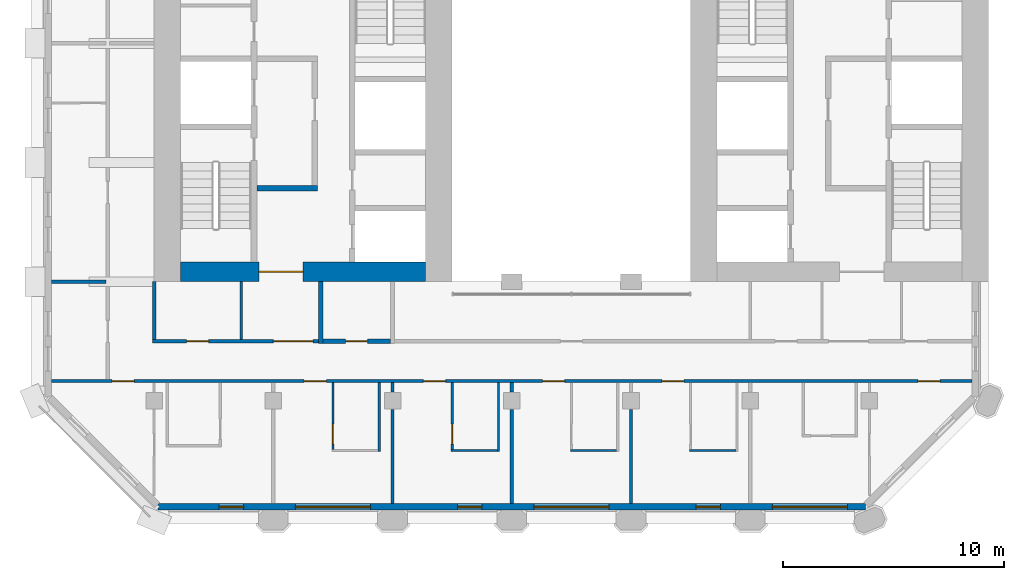
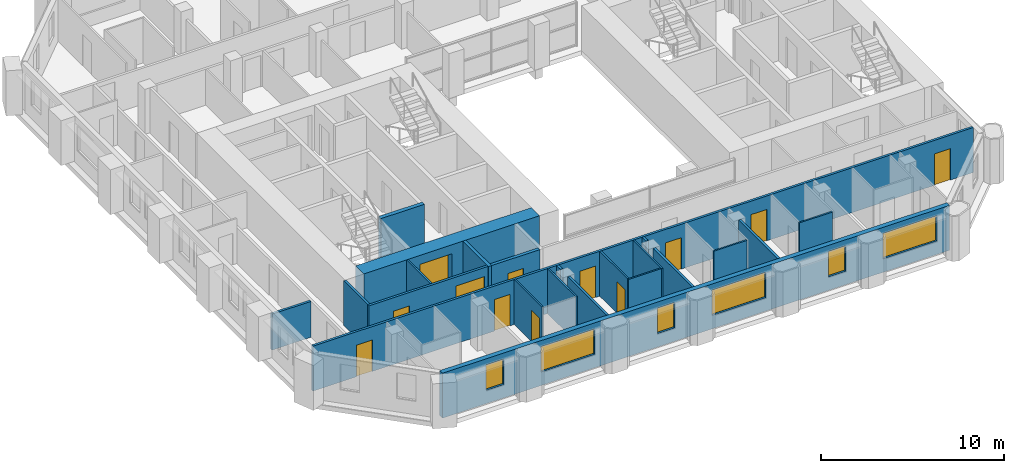
# One storey, part 6 of 13: 22 walls, 12 doors, 6 windows, 18 openings.
"""IFC4 building model written with IfcOpenShell, lengths in metres."""

from ifc_helpers import new_model, si_unit, direction, frame, frame_2d, origin, place, context, subcontext, project, spatial, rectangle, extrude, material, layer, layer_set, type_object, element, fill, save


model = new_model("IFC4")

# Units and contexts
model_context = context("Model", 3, precision=1e-05, world=origin(), true_north=direction((0.0, 1.0)))
body_context = subcontext(model_context, "Body", "Model", "MODEL_VIEW")
ifc_project = project(units=[si_unit("LENGTHUNIT", "METRE"), si_unit("AREAUNIT", "SQUARE_METRE"), si_unit("VOLUMEUNIT", "CUBIC_METRE"), si_unit("PLANEANGLEUNIT", "RADIAN"), si_unit("MASSUNIT", "GRAM", prefix="KILO")], contexts=[model_context])

# Site, building, storey
site_placement = place(None, origin())
site = spatial("IfcSite", under=ifc_project, at=site_placement, CompositionType="ELEMENT")
building_placement = place(site_placement, origin())
building = spatial("IfcBuilding", under=site, at=building_placement, Name="Tabaq Tower and Sports Hall", CompositionType="ELEMENT")
storey_placement = place(building_placement, frame((0.0, 0.0, 210.39990234375)))
storey = spatial("IfcBuildingStorey", under=building, at=storey_placement, Name="L52", CompositionType="ELEMENT", Elevation=210.39990234375)

# Wall, opening, door
ifc_material_1 = material(Name="Concrete C50/60", Category="concrete")
ifc_layer_1 = layer(ifc_material_1, 0.89990234375)
ifc_layer_set_1 = layer_set([ifc_layer_1], Name="Core wall 900 Concrete C50/60")
wall_type_1 = type_object("IfcWallType", Name="Core wall 900 Concrete C50/60", PredefinedType="SOLIDWALL", material=ifc_layer_set_1)
wall_1_placement = place(storey_placement, frame((17.699951171875, 16.64990234375, 0.0), z_axis=(0.0, 0.0, 1.0), x_axis=(-1.0, 0.0, 0.0)))
wall_1 = element("IfcWall", 1, at=wall_1_placement, inside=storey, type_object=wall_type_1, Name="Core wall W L52", PredefinedType="SOLIDWALL", context=body_context, shape_type="SweptSolid", body=[
    extrude(rectangle(XDim=11.099853515625, YDim=0.89990234375, at=frame_2d((5.5498046875, 0.0))), origin(), (0.0, 0.0, 1.0), 3.0),
])
opening_1_placement = place(wall_1_placement, frame((5.550048828125, 0.0, 0.0)))
opening_1 = element("IfcOpeningElement", 2, at=opening_1_placement, cuts=wall_1, Name="Opening PD-WL52-01", PredefinedType="OPENING", context=body_context, shape_type="SweptSolid", body=[
    extrude(rectangle(XDim=2.0, YDim=2.39990234375, at=frame_2d((1.0, 1.199951171875))), frame((0.0, 0.449951171875, 0.0), z_axis=(0.0, -1.0, 0.0), x_axis=(1.0, 0.0, 0.0)), (0.0, 0.0, 1.0), 0.89990234375),
])
ifc_material_2 = material(Name="Steel fire door", Category="steel")
door_type_1 = type_object("IfcDoorType", Name="Core entrance door 2000", OperationType="DOUBLE_DOOR_SINGLE_SWING", PredefinedType="DOOR", material=ifc_material_2)
door_1_placement = place(opening_1_placement, origin())
door_1 = element("IfcDoor", 3, at=door_1_placement, inside=storey, type_object=door_type_1, Name="Core entrance south W L52", OperationType="DOUBLE_DOOR_SINGLE_SWING", OverallHeight=2.39990234375, OverallWidth=2.0, PredefinedType="DOOR", context=body_context, shape_type="SweptSolid", body=[
    extrude(rectangle(XDim=2.0, YDim=2.39990234375, at=frame_2d((1.0, 1.199951171875))), frame((0.0, 0.02490234375, 0.0), z_axis=(0.0, -1.0, 0.0), x_axis=(1.0, 0.0, 0.0)), (0.0, 0.0, 1.0), 0.050048828125),
])
fill(opening_1, door_1)

# Wall
ifc_material_3 = material(Name="Blockwork", Category="masonry")
ifc_layer_2 = layer(ifc_material_3, 0.199951171875)
ifc_layer_set_2 = layer_set([ifc_layer_2], Name="Fire compartment wall 200 Blockwork")
wall_type_2 = type_object("IfcWallType", Name="Fire compartment wall 200 Blockwork", PredefinedType="PARTITIONING", material=ifc_layer_set_2)
wall_2_placement = place(storey_placement, frame((12.949951171875, 13.39990234375, 0.0), z_axis=(0.0, 0.0, 1.0), x_axis=(0.0, 1.0, 0.0)))
element("IfcWall", 4, at=wall_2_placement, inside=storey, type_object=wall_type_2, Name="Compartment wall L52", PredefinedType="PARTITIONING", context=body_context, shape_type="SweptSolid", body=[
    extrude(rectangle(XDim=2.800048828125, YDim=0.199951171875, at=frame_2d((1.39990234375, 0.0))), origin(), (0.0, 0.0, 1.0), 3.0),
])

# Wall, opening, door
wall_3_placement = place(storey_placement, frame((16.10009765625, 13.5, 0.0), z_axis=(0.0, 0.0, 1.0), x_axis=(-1.0, 0.0, 0.0)))
wall_3 = element("IfcWall", 5, at=wall_3_placement, inside=storey, type_object=wall_type_2, Name="Compartment wall L52", PredefinedType="PARTITIONING", context=body_context, shape_type="SweptSolid", body=[
    extrude(rectangle(XDim=3.050048828125, YDim=0.199951171875, at=frame_2d((1.52490234375, 0.0))), origin(), (0.0, 0.0, 1.0), 3.0),
])
opening_2_placement = place(wall_3_placement, frame((1.02490234375, 0.0, 0.0)))
opening_2 = element("IfcOpeningElement", 6, at=opening_2_placement, cuts=wall_3, Name="Opening L52-024", PredefinedType="OPENING", context=body_context, shape_type="SweptSolid", body=[
    extrude(rectangle(XDim=1.0, YDim=2.10009765625, at=frame_2d((0.5, 1.050048828125))), frame((0.0, 0.10009765625, 0.0), z_axis=(0.0, -1.0, 0.0), x_axis=(1.0, 0.0, 0.0)), (0.0, 0.0, 1.0), 0.199951171875),
])
ifc_material_4 = material(Name="Steel fire door", Category="steel")
door_type_2 = type_object("IfcDoorType", Name="Riser door 1000 left hand", OperationType="SINGLE_SWING_LEFT", PredefinedType="DOOR", material=ifc_material_4)
door_2_placement = place(opening_2_placement, origin())
door_2 = element("IfcDoor", 7, at=door_2_placement, inside=storey, type_object=door_type_2, Name="Riser door L52-024", OperationType="SINGLE_SWING_LEFT", OverallHeight=2.10009765625, OverallWidth=1.0, PredefinedType="DOOR", context=body_context, shape_type="SweptSolid", body=[
    extrude(rectangle(XDim=1.0, YDim=2.10009765625, at=frame_2d((0.5, 1.050048828125))), frame((0.0, 0.02490234375, 0.0), z_axis=(0.0, -1.0, 0.0), x_axis=(1.0, 0.0, 0.0)), (0.0, 0.0, 1.0), 0.050048828125),
])
fill(opening_2, door_2)

# Walls
ifc_material_5 = material(Name="Gypsum board on steel studs", Category="steel")
ifc_layer_3 = layer(ifc_material_5, 0.10009765625)
ifc_layer_set_3 = layer_set([ifc_layer_3], Name="Partition 100 Gypsum board")
wall_type_3 = type_object("IfcWallType", Name="Partition 100 Gypsum board", PredefinedType="PARTITIONING", material=ifc_layer_set_3)
for number, where, z_axis, x_axis, name in (
    (8, (31.75, 8.550048828125, 0.0), (0.0, 0.0, 1.0), (-1.0, 0.0, 0.0), "Partition wall L52"),
    (9, (26.35009765625, 8.550048828125, 0.0), (0.0, 0.0, 1.0), (-1.0, 0.0, 0.0), "Partition wall L52"),
):
    element("IfcWall", number, at=place(storey_placement, frame(where, z_axis=z_axis, x_axis=x_axis)), inside=storey, type_object=wall_type_3, Name=name, PredefinedType="PARTITIONING", context=body_context, shape_type="SweptSolid", body=[
        extrude(rectangle(XDim=2.10009765625, YDim=0.10009765625, at=frame_2d((1.050048828125, 0.0))), origin(), (0.0, 0.0, 1.0), 3.0),
    ])
wall_4_placement = place(storey_placement, frame((21.0, 11.625, 0.0), z_axis=(0.0, 0.0, 1.0), x_axis=(0.0, -1.0, 0.0)))
element("IfcWall", 10, at=wall_4_placement, inside=storey, type_object=wall_type_3, Name="Partition wall L52", PredefinedType="PARTITIONING", context=body_context, shape_type="SweptSolid", body=[
    extrude(rectangle(XDim=3.125, YDim=0.10009765625, at=frame_2d((1.5625, 0.0))), origin(), (0.0, 0.0, 1.0), 3.0),
])
wall_5_placement = place(storey_placement, frame((20.949951171875, 8.550048828125, 0.0), z_axis=(0.0, 0.0, 1.0), x_axis=(-1.0, 0.0, 0.0)))
element("IfcWall", 11, at=wall_5_placement, inside=storey, type_object=wall_type_3, Name="Partition wall L52", PredefinedType="PARTITIONING", context=body_context, shape_type="SweptSolid", body=[
    extrude(rectangle(XDim=2.099853515625, YDim=0.10009765625, at=frame_2d((1.0498046875, 0.0))), origin(), (0.0, 0.0, 1.0), 3.0),
])

# Wall, opening, door
wall_6_placement = place(storey_placement, frame((18.89990234375, 8.60009765625, 0.0), z_axis=(0.0, 0.0, 1.0), x_axis=(0.0, 1.0, 0.0)))
wall_6 = element("IfcWall", 12, at=wall_6_placement, inside=storey, type_object=wall_type_3, Name="Partition wall L52", PredefinedType="PARTITIONING", context=body_context, shape_type="SweptSolid", body=[
    extrude(rectangle(XDim=3.02490234375, YDim=0.10009765625, at=frame_2d((1.512451171875, 0.0))), origin(), (0.0, 0.0, 1.0), 3.0),
])
opening_3_placement = place(wall_6_placement, frame((0.25, 0.0, 0.0)))
opening_3 = element("IfcOpeningElement", 13, at=opening_3_placement, cuts=wall_6, Name="Opening L52-018", PredefinedType="OPENING", context=body_context, shape_type="SweptSolid", body=[
    extrude(rectangle(XDim=0.89990234375, YDim=2.10009765625, at=frame_2d((0.449951171875, 1.050048828125))), frame((0.0, 0.050048828125, 0.0), z_axis=(0.0, -1.0, 0.0), x_axis=(1.0, 0.0, 0.0)), (0.0, 0.0, 1.0), 0.10009765625),
])
ifc_material_6 = material(Name="Timber leaf in steel frame", Category="steel")
door_type_3 = type_object("IfcDoorType", Name="Internal door 900 right hand", OperationType="SINGLE_SWING_RIGHT", PredefinedType="DOOR", material=ifc_material_6)
door_3_placement = place(opening_3_placement, origin())
door_3 = element("IfcDoor", 14, at=door_3_placement, inside=storey, type_object=door_type_3, Name="Internal door L52-018", OperationType="SINGLE_SWING_RIGHT", OverallHeight=2.10009765625, OverallWidth=0.89990234375, PredefinedType="DOOR", context=body_context, shape_type="SweptSolid", body=[
    extrude(rectangle(XDim=0.89990234375, YDim=2.10009765625, at=frame_2d((0.449951171875, 1.050048828125))), frame((0.0, 0.02490234375, 0.0), z_axis=(0.0, -1.0, 0.0), x_axis=(1.0, 0.0, 0.0)), (0.0, 0.0, 1.0), 0.050048828125),
])
fill(opening_3, door_3)

# Wall
wall_7_placement = place(storey_placement, frame((15.60009765625, 11.625, 0.0), z_axis=(0.0, 0.0, 1.0), x_axis=(0.0, -1.0, 0.0)))
element("IfcWall", 15, at=wall_7_placement, inside=storey, type_object=wall_type_3, Name="Partition wall L52", PredefinedType="PARTITIONING", context=body_context, shape_type="SweptSolid", body=[
    extrude(rectangle(XDim=3.125, YDim=0.10009765625, at=frame_2d((1.5625, 0.0))), origin(), (0.0, 0.0, 1.0), 3.0),
])

# Wall, opening, door
wall_8_placement = place(storey_placement, frame((13.5, 8.60009765625, 0.0), z_axis=(0.0, 0.0, 1.0), x_axis=(0.0, 1.0, 0.0)))
wall_8 = element("IfcWall", 16, at=wall_8_placement, inside=storey, type_object=wall_type_3, Name="Partition wall L52", PredefinedType="PARTITIONING", context=body_context, shape_type="SweptSolid", body=[
    extrude(rectangle(XDim=3.02490234375, YDim=0.10009765625, at=frame_2d((1.512451171875, 0.0))), origin(), (0.0, 0.0, 1.0), 3.0),
])
opening_4_placement = place(wall_8_placement, frame((0.25, 0.0, 0.0)))
opening_4 = element("IfcOpeningElement", 17, at=opening_4_placement, cuts=wall_8, Name="Opening L52-019", PredefinedType="OPENING", context=body_context, shape_type="SweptSolid", body=[
    extrude(rectangle(XDim=0.89990234375, YDim=2.10009765625, at=frame_2d((0.449951171875, 1.050048828125))), frame((0.0, 0.050048828125, 0.0), z_axis=(0.0, -1.0, 0.0), x_axis=(1.0, 0.0, 0.0)), (0.0, 0.0, 1.0), 0.10009765625),
])
ifc_material_7 = material(Name="Timber leaf in steel frame", Category="steel")
door_type_4 = type_object("IfcDoorType", Name="Internal door 900 left hand", OperationType="SINGLE_SWING_LEFT", PredefinedType="DOOR", material=ifc_material_7)
door_4_placement = place(opening_4_placement, origin())
door_4 = element("IfcDoor", 18, at=door_4_placement, inside=storey, type_object=door_type_4, Name="Internal door L52-019", OperationType="SINGLE_SWING_LEFT", OverallHeight=2.10009765625, OverallWidth=0.89990234375, PredefinedType="DOOR", context=body_context, shape_type="SweptSolid", body=[
    extrude(rectangle(XDim=0.89990234375, YDim=2.10009765625, at=frame_2d((0.449951171875, 1.050048828125))), frame((0.0, 0.02490234375, 0.0), z_axis=(0.0, -1.0, 0.0), x_axis=(1.0, 0.0, 0.0)), (0.0, 0.0, 1.0), 0.050048828125),
])
fill(opening_4, door_4)

# Walls
wall_9_placement = place(storey_placement, frame((9.35009765625, 16.199951171875, 0.0), z_axis=(0.0, 0.0, 1.0), x_axis=(0.0, -1.0, 0.0)))
element("IfcWall", 19, at=wall_9_placement, inside=storey, type_object=wall_type_3, Name="Partition wall L52", PredefinedType="PARTITIONING", context=body_context, shape_type="SweptSolid", body=[
    extrude(rectangle(XDim=2.625, YDim=0.10009765625, at=frame_2d((1.3125, 0.0))), origin(), (0.0, 0.0, 1.0), 3.0),
])
ifc_material_8 = material(Name="Blockwork", Category="masonry")
ifc_layer_4 = layer(ifc_material_8, 0.14990234375)
ifc_layer_set_4 = layer_set([ifc_layer_4], Name="Separating wall 150 Blockwork")
wall_type_4 = type_object("IfcWallType", Name="Separating wall 150 Blockwork", PredefinedType="PARTITIONING", material=ifc_layer_set_4)
wall_10_placement = place(storey_placement, frame((3.22509765625, 16.199951171875, 0.0), z_axis=(0.0, 0.0, 1.0), x_axis=(-1.0, 0.0, 0.0)))
element("IfcWall", 20, at=wall_10_placement, inside=storey, type_object=wall_type_4, Name="Separating wall L52", PredefinedType="PARTITIONING", context=body_context, shape_type="SweptSolid", body=[
    extrude(rectangle(XDim=2.47412109375, YDim=0.14990234375, at=frame_2d((1.237060546875, 0.0))), origin(), (0.0, 0.0, 1.0), 2.400146484375),
])
wall_11_placement = place(storey_placement, frame((27.0, 10.405029296875, 0.0), z_axis=(0.0, 0.0, 1.0), x_axis=(0.0, -1.0, 0.0)))
element("IfcWall", 21, at=wall_11_placement, inside=storey, type_object=wall_type_4, Name="Separating wall L52", PredefinedType="PARTITIONING", context=body_context, shape_type="SweptSolid", body=[
    extrude(rectangle(XDim=4.254150390625, YDim=0.14990234375, at=frame_2d((2.126953125, 0.0))), origin(), (0.0, 0.0, 1.0), 3.0),
])
wall_12_placement = place(storey_placement, frame((21.60009765625, 11.625, 0.0), z_axis=(0.0, 0.0, 1.0), x_axis=(0.0, -1.0, 0.0)))
element("IfcWall", 22, at=wall_12_placement, inside=storey, type_object=wall_type_4, Name="Separating wall L52", PredefinedType="PARTITIONING", context=body_context, shape_type="SweptSolid", body=[
    extrude(rectangle(XDim=0.429931640625, YDim=0.14990234375, at=frame_2d((0.21484375, 0.0))), origin(), (0.0, 0.0, 1.0), 3.0),
])
wall_13_placement = place(storey_placement, frame((21.60009765625, 10.405029296875, 0.0), z_axis=(0.0, 0.0, 1.0), x_axis=(0.0, -1.0, 0.0)))
element("IfcWall", 23, at=wall_13_placement, inside=storey, type_object=wall_type_4, Name="Separating wall L52", PredefinedType="PARTITIONING", context=body_context, shape_type="SweptSolid", body=[
    extrude(rectangle(XDim=4.254150390625, YDim=0.14990234375, at=frame_2d((2.126953125, 0.0))), origin(), (0.0, 0.0, 1.0), 3.0),
])
wall_14_placement = place(storey_placement, frame((16.199951171875, 11.625, 0.0), z_axis=(0.0, 0.0, 1.0), x_axis=(0.0, -1.0, 0.0)))
element("IfcWall", 24, at=wall_14_placement, inside=storey, type_object=wall_type_4, Name="Separating wall L52", PredefinedType="PARTITIONING", context=body_context, shape_type="SweptSolid", body=[
    extrude(rectangle(XDim=0.429931640625, YDim=0.14990234375, at=frame_2d((0.21484375, 0.0))), origin(), (0.0, 0.0, 1.0), 3.0),
])
wall_15_placement = place(storey_placement, frame((16.199951171875, 10.405029296875, 0.0), z_axis=(0.0, 0.0, 1.0), x_axis=(0.0, -1.0, 0.0)))
element("IfcWall", 25, at=wall_15_placement, inside=storey, type_object=wall_type_4, Name="Separating wall L52", PredefinedType="PARTITIONING", context=body_context, shape_type="SweptSolid", body=[
    extrude(rectangle(XDim=4.254150390625, YDim=0.14990234375, at=frame_2d((2.126953125, 0.0))), origin(), (0.0, 0.0, 1.0), 3.0),
])

# Wall, openings, doors
wall_16_placement = place(storey_placement, frame((0.7509765625, 11.699951171875, 0.0), z_axis=(0.0, 0.0, 1.0), x_axis=(1.0, 0.0, 0.0)))
wall_16 = element("IfcWall", 26, at=wall_16_placement, inside=storey, type_object=wall_type_4, Name="Separating wall L52", PredefinedType="PARTITIONING", context=body_context, shape_type="SweptSolid", body=[
    extrude(rectangle(XDim=41.697998046875, YDim=0.14990234375, at=frame_2d((20.84912109375, 0.0))), origin(), (0.0, 0.0, 1.0), 3.0),
])
opening_5_placement = place(wall_16_placement, frame((39.2490234375, 0.0, 0.0)))
opening_5 = element("IfcOpeningElement", 27, at=opening_5_placement, cuts=wall_16, Name="Opening L52-039", PredefinedType="OPENING", context=body_context, shape_type="SweptSolid", body=[
    extrude(rectangle(XDim=1.0, YDim=2.10009765625, at=frame_2d((0.5, 1.050048828125))), frame((0.0, 0.074951171875, 0.0), z_axis=(0.0, -1.0, 0.0), x_axis=(1.0, 0.0, 0.0)), (0.0, 0.0, 1.0), 0.14990234375),
])
opening_6_placement = place(wall_16_placement, frame((27.64892578125, 0.0, 0.0)))
opening_6 = element("IfcOpeningElement", 28, at=opening_6_placement, cuts=wall_16, Name="Opening L52-040", PredefinedType="OPENING", context=body_context, shape_type="SweptSolid", body=[
    extrude(rectangle(XDim=1.0, YDim=2.10009765625, at=frame_2d((0.5, 1.050048828125))), frame((0.0, 0.074951171875, 0.0), z_axis=(0.0, -1.0, 0.0), x_axis=(1.0, 0.0, 0.0)), (0.0, 0.0, 1.0), 0.14990234375),
])
opening_7_placement = place(wall_16_placement, frame((22.2490234375, 0.0, 0.0)))
opening_7 = element("IfcOpeningElement", 29, at=opening_7_placement, cuts=wall_16, Name="Opening L52-041", PredefinedType="OPENING", context=body_context, shape_type="SweptSolid", body=[
    extrude(rectangle(XDim=1.0, YDim=2.10009765625, at=frame_2d((0.5, 1.050048828125))), frame((0.0, 0.074951171875, 0.0), z_axis=(0.0, -1.0, 0.0), x_axis=(1.0, 0.0, 0.0)), (0.0, 0.0, 1.0), 0.14990234375),
])
opening_8_placement = place(wall_16_placement, frame((16.84912109375, 0.0, 0.0)))
opening_8 = element("IfcOpeningElement", 30, at=opening_8_placement, cuts=wall_16, Name="Opening L52-042", PredefinedType="OPENING", context=body_context, shape_type="SweptSolid", body=[
    extrude(rectangle(XDim=1.0, YDim=2.10009765625, at=frame_2d((0.5, 1.050048828125))), frame((0.0, 0.074951171875, 0.0), z_axis=(0.0, -1.0, 0.0), x_axis=(1.0, 0.0, 0.0)), (0.0, 0.0, 1.0), 0.14990234375),
])
opening_9_placement = place(wall_16_placement, frame((11.448974609375, 0.0, 0.0)))
opening_9 = element("IfcOpeningElement", 31, at=opening_9_placement, cuts=wall_16, Name="Opening L52-043", PredefinedType="OPENING", context=body_context, shape_type="SweptSolid", body=[
    extrude(rectangle(XDim=1.0, YDim=2.10009765625, at=frame_2d((0.5, 1.050048828125))), frame((0.0, 0.074951171875, 0.0), z_axis=(0.0, -1.0, 0.0), x_axis=(1.0, 0.0, 0.0)), (0.0, 0.0, 1.0), 0.14990234375),
])
opening_10_placement = place(wall_16_placement, frame((2.743896484375, 0.0, 0.0)))
opening_10 = element("IfcOpeningElement", 32, at=opening_10_placement, cuts=wall_16, Name="Opening L52-045", PredefinedType="OPENING", context=body_context, shape_type="SweptSolid", body=[
    extrude(rectangle(XDim=1.0, YDim=2.10009765625, at=frame_2d((0.5, 1.050048828125))), frame((0.0, 0.074951171875, 0.0), z_axis=(0.0, -1.0, 0.0), x_axis=(1.0, 0.0, 0.0)), (0.0, 0.0, 1.0), 0.14990234375),
])
ifc_material_9 = material(Name="Steel fire door", Category="steel")
door_type_5 = type_object("IfcDoorType", Name="Entrance door 1000 left hand", OperationType="SINGLE_SWING_LEFT", PredefinedType="DOOR", material=ifc_material_9)
door_5_placement = place(opening_8_placement, origin())
door_5 = element("IfcDoor", 33, at=door_5_placement, inside=storey, type_object=door_type_5, Name="Entrance door L52-042", OperationType="SINGLE_SWING_LEFT", OverallHeight=2.10009765625, OverallWidth=1.0, PredefinedType="DOOR", context=body_context, shape_type="SweptSolid", body=[
    extrude(rectangle(XDim=1.0, YDim=2.10009765625, at=frame_2d((0.5, 1.050048828125))), frame((0.0, 0.02490234375, 0.0), z_axis=(0.0, -1.0, 0.0), x_axis=(1.0, 0.0, 0.0)), (0.0, 0.0, 1.0), 0.050048828125),
])
fill(opening_8, door_5)
door_6_placement = place(opening_9_placement, origin())
door_6 = element("IfcDoor", 34, at=door_6_placement, inside=storey, type_object=door_type_5, Name="Entrance door L52-043", OperationType="SINGLE_SWING_LEFT", OverallHeight=2.10009765625, OverallWidth=1.0, PredefinedType="DOOR", context=body_context, shape_type="SweptSolid", body=[
    extrude(rectangle(XDim=1.0, YDim=2.10009765625, at=frame_2d((0.5, 1.050048828125))), frame((0.0, 0.02490234375, 0.0), z_axis=(0.0, -1.0, 0.0), x_axis=(1.0, 0.0, 0.0)), (0.0, 0.0, 1.0), 0.050048828125),
])
fill(opening_9, door_6)
door_7_placement = place(opening_10_placement, origin())
door_7 = element("IfcDoor", 35, at=door_7_placement, inside=storey, type_object=door_type_5, Name="Entrance door L52-045", OperationType="SINGLE_SWING_LEFT", OverallHeight=2.10009765625, OverallWidth=1.0, PredefinedType="DOOR", context=body_context, shape_type="SweptSolid", body=[
    extrude(rectangle(XDim=1.0, YDim=2.10009765625, at=frame_2d((0.5, 1.050048828125))), frame((0.0, 0.02490234375, 0.0), z_axis=(0.0, -1.0, 0.0), x_axis=(1.0, 0.0, 0.0)), (0.0, 0.0, 1.0), 0.050048828125),
])
fill(opening_10, door_7)
ifc_material_10 = material(Name="Steel fire door", Category="steel")
door_type_6 = type_object("IfcDoorType", Name="Entrance door 1000 right hand", OperationType="SINGLE_SWING_RIGHT", PredefinedType="DOOR", material=ifc_material_10)
door_8_placement = place(opening_5_placement, origin())
door_8 = element("IfcDoor", 36, at=door_8_placement, inside=storey, type_object=door_type_6, Name="Entrance door L52-039", OperationType="SINGLE_SWING_RIGHT", OverallHeight=2.10009765625, OverallWidth=1.0, PredefinedType="DOOR", context=body_context, shape_type="SweptSolid", body=[
    extrude(rectangle(XDim=1.0, YDim=2.10009765625, at=frame_2d((0.5, 1.050048828125))), frame((0.0, 0.02490234375, 0.0), z_axis=(0.0, -1.0, 0.0), x_axis=(1.0, 0.0, 0.0)), (0.0, 0.0, 1.0), 0.050048828125),
])
fill(opening_5, door_8)
door_9_placement = place(opening_6_placement, origin())
door_9 = element("IfcDoor", 37, at=door_9_placement, inside=storey, type_object=door_type_6, Name="Entrance door L52-040", OperationType="SINGLE_SWING_RIGHT", OverallHeight=2.10009765625, OverallWidth=1.0, PredefinedType="DOOR", context=body_context, shape_type="SweptSolid", body=[
    extrude(rectangle(XDim=1.0, YDim=2.10009765625, at=frame_2d((0.5, 1.050048828125))), frame((0.0, 0.02490234375, 0.0), z_axis=(0.0, -1.0, 0.0), x_axis=(1.0, 0.0, 0.0)), (0.0, 0.0, 1.0), 0.050048828125),
])
fill(opening_6, door_9)
door_10_placement = place(opening_7_placement, origin())
door_10 = element("IfcDoor", 38, at=door_10_placement, inside=storey, type_object=door_type_6, Name="Entrance door L52-041", OperationType="SINGLE_SWING_RIGHT", OverallHeight=2.10009765625, OverallWidth=1.0, PredefinedType="DOOR", context=body_context, shape_type="SweptSolid", body=[
    extrude(rectangle(XDim=1.0, YDim=2.10009765625, at=frame_2d((0.5, 1.050048828125))), frame((0.0, 0.02490234375, 0.0), z_axis=(0.0, -1.0, 0.0), x_axis=(1.0, 0.0, 0.0)), (0.0, 0.0, 1.0), 0.050048828125),
])
fill(opening_7, door_10)

wall_17_placement = place(storey_placement, frame((5.324951171875, 13.5, 0.0), z_axis=(0.0, 0.0, 1.0), x_axis=(1.0, 0.0, 0.0)))
wall_17 = element("IfcWall", 39, at=wall_17_placement, inside=storey, type_object=wall_type_4, Name="Separating wall L52", PredefinedType="PARTITIONING", context=body_context, shape_type="SweptSolid", body=[
    extrude(rectangle(XDim=7.525146484375, YDim=0.14990234375, at=frame_2d((3.7626953125, 0.0))), origin(), (0.0, 0.0, 1.0), 3.0),
])
opening_11_placement = place(wall_17_placement, frame((1.550048828125, 0.0, 0.0)))
opening_11 = element("IfcOpeningElement", 40, at=opening_11_placement, cuts=wall_17, Name="Opening L52-025", PredefinedType="OPENING", context=body_context, shape_type="SweptSolid", body=[
    extrude(rectangle(XDim=1.0, YDim=2.10009765625, at=frame_2d((0.5, 1.050048828125))), frame((0.0, 0.074951171875, 0.0), z_axis=(0.0, -1.0, 0.0), x_axis=(1.0, 0.0, 0.0)), (0.0, 0.0, 1.0), 0.14990234375),
])
opening_12_placement = place(wall_17_placement, frame((5.47509765625, 0.0, 0.0)))
opening_12 = element("IfcOpeningElement", 41, at=opening_12_placement, cuts=wall_17, Name="Opening L52-048", PredefinedType="OPENING", context=body_context, shape_type="SweptSolid", body=[
    extrude(rectangle(XDim=1.800048828125, YDim=2.39990234375, at=frame_2d((0.89990234375, 1.199951171875))), frame((0.0, 0.074951171875, 0.0), z_axis=(0.0, -1.0, 0.0), x_axis=(1.0, 0.0, 0.0)), (0.0, 0.0, 1.0), 0.14990234375),
])
ifc_material_11 = material(Name="Timber leaf in steel frame", Category="steel")
door_type_7 = type_object("IfcDoorType", Name="Internal door 1000 right hand", OperationType="SINGLE_SWING_RIGHT", PredefinedType="DOOR", material=ifc_material_11)
door_11_placement = place(opening_11_placement, origin())
door_11 = element("IfcDoor", 42, at=door_11_placement, inside=storey, type_object=door_type_7, Name="Internal door L52-025", OperationType="SINGLE_SWING_RIGHT", OverallHeight=2.10009765625, OverallWidth=1.0, PredefinedType="DOOR", context=body_context, shape_type="SweptSolid", body=[
    extrude(rectangle(XDim=1.0, YDim=2.10009765625, at=frame_2d((0.5, 1.050048828125))), frame((0.0, 0.02490234375, 0.0), z_axis=(0.0, -1.0, 0.0), x_axis=(1.0, 0.0, 0.0)), (0.0, 0.0, 1.0), 0.050048828125),
])
fill(opening_11, door_11)
ifc_material_12 = material(Name="Timber leaf in steel frame", Category="steel")
door_type_8 = type_object("IfcDoorType", Name="Internal door 1800", OperationType="DOUBLE_DOOR_SINGLE_SWING", PredefinedType="DOOR", material=ifc_material_12)
door_12_placement = place(opening_12_placement, origin())
door_12 = element("IfcDoor", 43, at=door_12_placement, inside=storey, type_object=door_type_8, Name="Internal door L52-048", OperationType="DOUBLE_DOOR_SINGLE_SWING", OverallHeight=2.39990234375, OverallWidth=1.800048828125, PredefinedType="DOOR", context=body_context, shape_type="SweptSolid", body=[
    extrude(rectangle(XDim=1.800048828125, YDim=2.39990234375, at=frame_2d((0.89990234375, 1.199951171875))), frame((0.0, 0.02490234375, 0.0), z_axis=(0.0, -1.0, 0.0), x_axis=(1.0, 0.0, 0.0)), (0.0, 0.0, 1.0), 0.050048828125),
])
fill(opening_12, door_12)

# Walls
wall_18_placement = place(storey_placement, frame((5.39990234375, 13.574951171875, 0.0), z_axis=(0.0, 0.0, 1.0), x_axis=(0.0, 1.0, 0.0)))
element("IfcWall", 44, at=wall_18_placement, inside=storey, type_object=wall_type_4, Name="Separating wall L52", PredefinedType="PARTITIONING", context=body_context, shape_type="SweptSolid", body=[
    extrude(rectangle(XDim=2.625, YDim=0.14990234375, at=frame_2d((1.3125, 0.0))), origin(), (0.0, 0.0, 1.0), 3.0),
])
ifc_material_13 = material(Name="Concrete C40/50", Category="concrete")
ifc_layer_5 = layer(ifc_material_13, 0.25)
ifc_layer_set_5 = layer_set([ifc_layer_5], Name="Shaft and stair wall 250 Concrete C40/50")
wall_type_5 = type_object("IfcWallType", Name="Shaft and stair wall 250 Concrete C40/50", PredefinedType="SOLIDWALL", material=ifc_layer_set_5)
wall_19_placement = place(storey_placement, frame((10.050048828125, 20.425048828125, 0.0), z_axis=(0.0, 0.0, 1.0), x_axis=(1.0, 0.0, 0.0)))
element("IfcWall", 45, at=wall_19_placement, inside=storey, type_object=wall_type_5, Name="Fire-fighting lobby wall W L52", PredefinedType="SOLIDWALL", context=body_context, shape_type="SweptSolid", body=[
    extrude(rectangle(XDim=2.75, YDim=0.25, at=frame_2d((1.375, 0.0))), origin(), (0.0, 0.0, 1.0), 3.0),
])

# Wall, openings, windows
ifc_material_14 = material(Name="White precast concrete C60/75", Category="concrete")
ifc_layer_6 = layer(ifc_material_14, 0.300048828125)
ifc_layer_set_6 = layer_set([ifc_layer_6], Name="White precast concrete C60/75 external wall 300")
wall_type_6 = type_object("IfcWallType", Name="White precast concrete C60/75 external wall 300", PredefinedType="SOLIDWALL", material=ifc_layer_set_6)
wall_20_placement = place(storey_placement, frame((5.58642578125, 6.0, 0.0), z_axis=(0.0, 0.0, 1.0), x_axis=(1.0, 0.0, 0.0)))
wall_20 = element("IfcWall", 46, at=wall_20_placement, inside=storey, type_object=wall_type_6, Name="External Wall L52 S", PredefinedType="SOLIDWALL", context=body_context, shape_type="SweptSolid", body=[
    extrude(rectangle(XDim=32.027099609375, YDim=0.300048828125, at=frame_2d((16.013671875, 0.0))), origin(), (0.0, 0.0, 1.0), 3.0),
])
opening_13_placement = place(wall_20_placement, frame((2.763671875, 0.0, 0.89990234375)))
opening_13 = element("IfcOpeningElement", 47, at=opening_13_placement, cuts=wall_20, Name="Opening W1B", PredefinedType="OPENING", context=body_context, shape_type="SweptSolid", body=[
    extrude(rectangle(XDim=1.10009765625, YDim=1.699951171875, at=frame_2d((0.550048828125, 0.85009765625))), frame((0.0, 0.16015625, 0.0), z_axis=(0.0, -1.0, 0.0), x_axis=(1.0, 0.0, 0.0)), (0.0, 0.0, 1.0), 0.320068359375),
])
opening_14_placement = place(wall_20_placement, frame((6.213623046875, 0.0, 0.89990234375)))
opening_14 = element("IfcOpeningElement", 48, at=opening_14_placement, cuts=wall_20, Name="Opening W1A", PredefinedType="OPENING", context=body_context, shape_type="SweptSolid", body=[
    extrude(rectangle(XDim=3.39990234375, YDim=1.699951171875, at=frame_2d((1.699951171875, 0.85009765625))), frame((0.0, 0.16015625, 0.0), z_axis=(0.0, -1.0, 0.0), x_axis=(1.0, 0.0, 0.0)), (0.0, 0.0, 1.0), 0.320068359375),
])
opening_15_placement = place(wall_20_placement, frame((13.563720703125, 0.0, 0.89990234375)))
opening_15 = element("IfcOpeningElement", 49, at=opening_15_placement, cuts=wall_20, Name="Opening W1B", PredefinedType="OPENING", context=body_context, shape_type="SweptSolid", body=[
    extrude(rectangle(XDim=1.10009765625, YDim=1.699951171875, at=frame_2d((0.550048828125, 0.85009765625))), frame((0.0, 0.16015625, 0.0), z_axis=(0.0, -1.0, 0.0), x_axis=(1.0, 0.0, 0.0)), (0.0, 0.0, 1.0), 0.320068359375),
])
opening_16_placement = place(wall_20_placement, frame((17.013671875, 0.0, 0.89990234375)))
opening_16 = element("IfcOpeningElement", 50, at=opening_16_placement, cuts=wall_20, Name="Opening W1A", PredefinedType="OPENING", context=body_context, shape_type="SweptSolid", body=[
    extrude(rectangle(XDim=3.39990234375, YDim=1.699951171875, at=frame_2d((1.699951171875, 0.85009765625))), frame((0.0, 0.16015625, 0.0), z_axis=(0.0, -1.0, 0.0), x_axis=(1.0, 0.0, 0.0)), (0.0, 0.0, 1.0), 0.320068359375),
])
opening_17_placement = place(wall_20_placement, frame((24.363525390625, 0.0, 0.89990234375)))
opening_17 = element("IfcOpeningElement", 51, at=opening_17_placement, cuts=wall_20, Name="Opening W1B", PredefinedType="OPENING", context=body_context, shape_type="SweptSolid", body=[
    extrude(rectangle(XDim=1.10009765625, YDim=1.699951171875, at=frame_2d((0.550048828125, 0.85009765625))), frame((0.0, 0.16015625, 0.0), z_axis=(0.0, -1.0, 0.0), x_axis=(1.0, 0.0, 0.0)), (0.0, 0.0, 1.0), 0.320068359375),
])
opening_18_placement = place(wall_20_placement, frame((27.813720703125, 0.0, 0.89990234375)))
opening_18 = element("IfcOpeningElement", 52, at=opening_18_placement, cuts=wall_20, Name="Opening W1A", PredefinedType="OPENING", context=body_context, shape_type="SweptSolid", body=[
    extrude(rectangle(XDim=3.39990234375, YDim=1.699951171875, at=frame_2d((1.699951171875, 0.85009765625))), frame((0.0, 0.16015625, 0.0), z_axis=(0.0, -1.0, 0.0), x_axis=(1.0, 0.0, 0.0)), (0.0, 0.0, 1.0), 0.320068359375),
])
ifc_material_15 = material(Name="Aluminium framed clear glazing", Category="aluminium")
window_type_1 = type_object("IfcWindowType", Name="Window W1A", PartitioningType="SINGLE_PANEL", PredefinedType="WINDOW", material=ifc_material_15)
window_1_placement = place(opening_14_placement, origin())
window_1 = element("IfcWindow", 53, at=window_1_placement, inside=storey, type_object=window_type_1, Name="Window W1A L52", OverallHeight=1.699951171875, OverallWidth=3.39990234375, PartitioningType="SINGLE_PANEL", PredefinedType="WINDOW", context=body_context, shape_type="SweptSolid", body=[
    extrude(rectangle(XDim=3.39990234375, YDim=1.699951171875, at=frame_2d((1.699951171875, 0.85009765625))), frame((0.0, 0.030029296875, 0.0), z_axis=(0.0, -1.0, 0.0), x_axis=(1.0, 0.0, 0.0)), (0.0, 0.0, 1.0), 0.06005859375),
])
fill(opening_14, window_1)
window_2_placement = place(opening_16_placement, origin())
window_2 = element("IfcWindow", 54, at=window_2_placement, inside=storey, type_object=window_type_1, Name="Window W1A L52", OverallHeight=1.699951171875, OverallWidth=3.39990234375, PartitioningType="SINGLE_PANEL", PredefinedType="WINDOW", context=body_context, shape_type="SweptSolid", body=[
    extrude(rectangle(XDim=3.39990234375, YDim=1.699951171875, at=frame_2d((1.699951171875, 0.85009765625))), frame((0.0, 0.030029296875, 0.0), z_axis=(0.0, -1.0, 0.0), x_axis=(1.0, 0.0, 0.0)), (0.0, 0.0, 1.0), 0.06005859375),
])
fill(opening_16, window_2)
window_3_placement = place(opening_18_placement, origin())
window_3 = element("IfcWindow", 55, at=window_3_placement, inside=storey, type_object=window_type_1, Name="Window W1A L52", OverallHeight=1.699951171875, OverallWidth=3.39990234375, PartitioningType="SINGLE_PANEL", PredefinedType="WINDOW", context=body_context, shape_type="SweptSolid", body=[
    extrude(rectangle(XDim=3.39990234375, YDim=1.699951171875, at=frame_2d((1.699951171875, 0.85009765625))), frame((0.0, 0.030029296875, 0.0), z_axis=(0.0, -1.0, 0.0), x_axis=(1.0, 0.0, 0.0)), (0.0, 0.0, 1.0), 0.06005859375),
])
fill(opening_18, window_3)
ifc_material_16 = material(Name="Aluminium framed clear glazing", Category="aluminium")
window_type_2 = type_object("IfcWindowType", Name="Window W1B", PartitioningType="SINGLE_PANEL", PredefinedType="WINDOW", material=ifc_material_16)
window_4_placement = place(opening_13_placement, origin())
window_4 = element("IfcWindow", 56, at=window_4_placement, inside=storey, type_object=window_type_2, Name="Window W1B L52", OverallHeight=1.699951171875, OverallWidth=1.10009765625, PartitioningType="SINGLE_PANEL", PredefinedType="WINDOW", context=body_context, shape_type="SweptSolid", body=[
    extrude(rectangle(XDim=1.10009765625, YDim=1.699951171875, at=frame_2d((0.550048828125, 0.85009765625))), frame((0.0, 0.030029296875, 0.0), z_axis=(0.0, -1.0, 0.0), x_axis=(1.0, 0.0, 0.0)), (0.0, 0.0, 1.0), 0.06005859375),
])
fill(opening_13, window_4)
window_5_placement = place(opening_15_placement, origin())
window_5 = element("IfcWindow", 57, at=window_5_placement, inside=storey, type_object=window_type_2, Name="Window W1B L52", OverallHeight=1.699951171875, OverallWidth=1.10009765625, PartitioningType="SINGLE_PANEL", PredefinedType="WINDOW", context=body_context, shape_type="SweptSolid", body=[
    extrude(rectangle(XDim=1.10009765625, YDim=1.699951171875, at=frame_2d((0.550048828125, 0.85009765625))), frame((0.0, 0.030029296875, 0.0), z_axis=(0.0, -1.0, 0.0), x_axis=(1.0, 0.0, 0.0)), (0.0, 0.0, 1.0), 0.06005859375),
])
fill(opening_15, window_5)
window_6_placement = place(opening_17_placement, origin())
window_6 = element("IfcWindow", 58, at=window_6_placement, inside=storey, type_object=window_type_2, Name="Window W1B L52", OverallHeight=1.699951171875, OverallWidth=1.10009765625, PartitioningType="SINGLE_PANEL", PredefinedType="WINDOW", context=body_context, shape_type="SweptSolid", body=[
    extrude(rectangle(XDim=1.10009765625, YDim=1.699951171875, at=frame_2d((0.550048828125, 0.85009765625))), frame((0.0, 0.030029296875, 0.0), z_axis=(0.0, -1.0, 0.0), x_axis=(1.0, 0.0, 0.0)), (0.0, 0.0, 1.0), 0.06005859375),
])
fill(opening_17, window_6)

save(model, "model.ifc")
